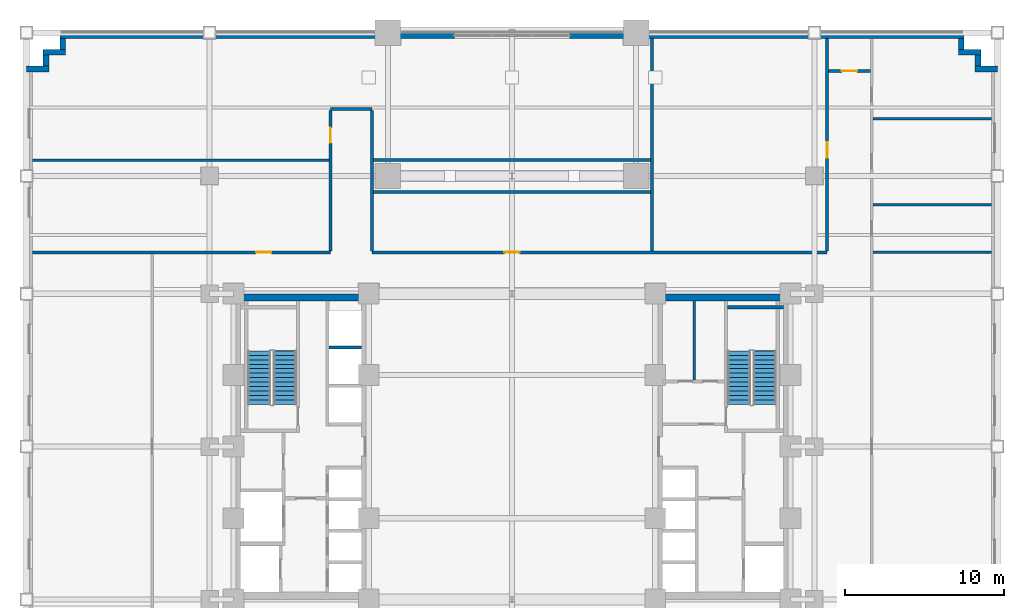
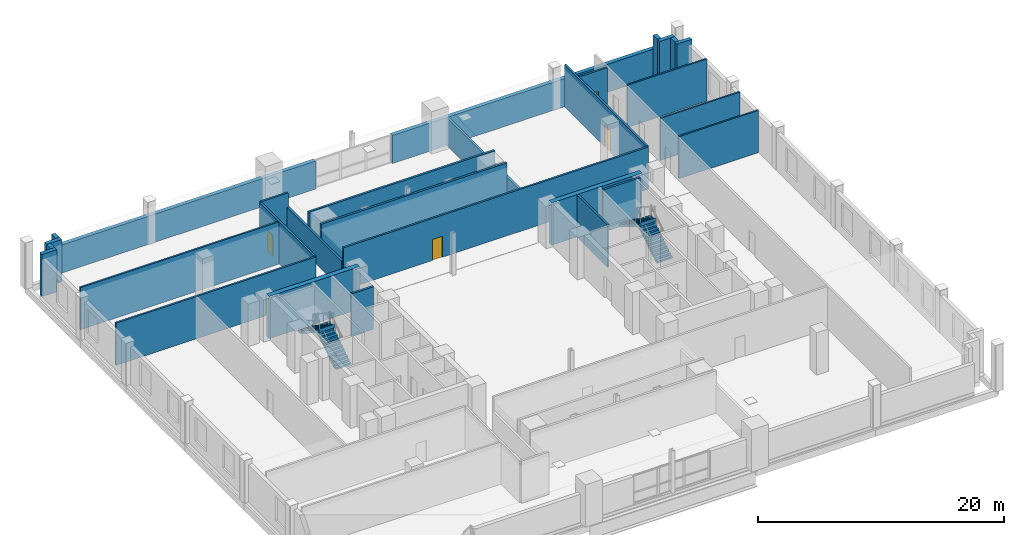
# One storey, part 9 of 17: 29 walls, 5 doors, 4 stair flights, 5 openings, 2 elements without a shape of their own.
"""IFC4 building model written with IfcOpenShell, lengths in metres."""

from ifc_helpers import new_model, si_unit, direction, frame, frame_2d, origin, place, context, subcontext, project, spatial, polyline, rectangle, outline, extrude, source, transform, mapped, material, layer, layer_set, type_object, type_shapes, element, fill, aggregate, save


model = new_model("IFC4")

# Units and contexts
model_context = context("Model", 3, precision=1e-05, world=origin(), true_north=direction((0.0, 1.0)))
body_context = subcontext(model_context, "Body", "Model", "MODEL_VIEW")
ifc_project = project(units=[si_unit("LENGTHUNIT", "METRE"), si_unit("AREAUNIT", "SQUARE_METRE"), si_unit("VOLUMEUNIT", "CUBIC_METRE"), si_unit("PLANEANGLEUNIT", "RADIAN"), si_unit("MASSUNIT", "GRAM", prefix="KILO")], contexts=[model_context])

# Site, building, storey
site_placement = place(None, origin())
site = spatial("IfcSite", under=ifc_project, at=site_placement, CompositionType="ELEMENT")
building_placement = place(site_placement, origin())
building = spatial("IfcBuilding", under=site, at=building_placement, Name="Nuvemarco Arch Tower", CompositionType="ELEMENT")
storey_placement = place(building_placement, frame((0.0, 0.0, 23.0)))
storey = spatial("IfcBuildingStorey", under=building, at=storey_placement, Name="L05", CompositionType="ELEMENT", Elevation=23.0)

# Walls
ifc_material_1 = material(Name="Precast concrete C45/55", Category="concrete")
ifc_layer_1 = layer(ifc_material_1, 0.360107421875, Name="EW-POD-360")
ifc_layer_set_1 = layer_set([ifc_layer_1], Name="Precast concrete C45/55")
wall_type_1 = type_object("IfcWallType", Name="EW-POD-360", PredefinedType="STANDARD", material=ifc_layer_set_1)
wall_1_placement = place(storey_placement, frame((29.090087890625, 23.719970703125, 0.0), z_axis=(0.0, 0.0, 1.0), x_axis=(1.0, 0.0, 0.0)))
element("IfcWall", 1, at=wall_1_placement, inside=storey, type_object=wall_type_1, Name="L05 exterior precast facade wall 7", PredefinedType="STANDARD", context=body_context, shape_type="SweptSolid", body=[
    extrude(rectangle(XDim=1.409912109375, YDim=0.360107421875, at=frame_2d((0.705078125, 0.0))), origin(), (0.0, 0.0, 1.0), 4.18994140625),
])
wall_2_placement = place(storey_placement, frame((29.27001953125, 23.89599609375, 0.0), z_axis=(0.0, 0.0, 1.0), x_axis=(0.0, 1.0, 0.0)))
element("IfcWall", 2, at=wall_2_placement, inside=storey, type_object=wall_type_1, Name="L05 exterior precast facade wall 8", PredefinedType="STANDARD", context=body_context, shape_type="SweptSolid", body=[
    extrude(rectangle(XDim=0.697998046875, YDim=0.360107421875, at=frame_2d((0.34912109375, 0.0))), origin(), (0.0, 0.0, 1.0), 4.18994140625),
])
wall_3_placement = place(storey_placement, frame((28.0400390625, 24.77001953125, 0.0), z_axis=(0.0, 0.0, 1.0), x_axis=(1.0, 0.0, 0.0)))
element("IfcWall", 3, at=wall_3_placement, inside=storey, type_object=wall_type_1, Name="L05 exterior precast facade wall 9", PredefinedType="STANDARD", context=body_context, shape_type="SweptSolid", body=[
    extrude(rectangle(XDim=1.409912109375, YDim=0.360107421875, at=frame_2d((0.705078125, 0.0))), origin(), (0.0, 0.0, 1.0), 4.18994140625),
])
wall_4_placement = place(storey_placement, frame((28.219970703125, 24.946044921875, 0.0), z_axis=(0.0, 0.0, 1.0), x_axis=(0.0, 1.0, 0.0)))
element("IfcWall", 4, at=wall_4_placement, inside=storey, type_object=wall_type_1, Name="L05 exterior precast facade wall 10", PredefinedType="STANDARD", context=body_context, shape_type="SweptSolid", body=[
    extrude(rectangle(XDim=0.697998046875, YDim=0.360107421875, at=frame_2d((0.34912109375, 0.0))), origin(), (0.0, 0.0, 1.0), 4.18994140625),
])
for number, where, z_axis, x_axis, name in (
    (5, (-28.39990234375, 25.820068359375, 0.0), (0.0, 0.0, 1.0), (1.0, 0.0, 0.0), "L05 exterior precast pier wall north left"),
    (6, (3.60009765625, 25.820068359375, 0.0), (0.0, 0.0, 1.0), (1.0, 0.0, 0.0), "L05 exterior precast pier wall north right"),
):
    element("IfcWall", number, at=place(storey_placement, frame(where, z_axis=z_axis, x_axis=x_axis)), inside=storey, type_object=wall_type_1, Name=name, PredefinedType="STANDARD", context=body_context, shape_type="SweptSolid", body=[
        extrude(rectangle(XDim=24.7998046875, YDim=0.360107421875, at=frame_2d((12.39990234375, 0.0))), origin(), (0.0, 0.0, 1.0), 2.784912109375),
    ])
wall_5_placement = place(storey_placement, frame((-28.219970703125, 24.946044921875, 0.0), z_axis=(0.0, 0.0, 1.0), x_axis=(0.0, 1.0, 0.0)))
element("IfcWall", 7, at=wall_5_placement, inside=storey, type_object=wall_type_1, Name="L05 exterior precast facade wall 12", PredefinedType="STANDARD", context=body_context, shape_type="SweptSolid", body=[
    extrude(rectangle(XDim=0.697998046875, YDim=0.360107421875, at=frame_2d((0.34912109375, 0.0))), origin(), (0.0, 0.0, 1.0), 4.18994140625),
])
wall_6_placement = place(storey_placement, frame((-29.449951171875, 24.77001953125, 0.0), z_axis=(0.0, 0.0, 1.0), x_axis=(1.0, 0.0, 0.0)))
element("IfcWall", 8, at=wall_6_placement, inside=storey, type_object=wall_type_1, Name="L05 exterior precast facade wall 13", PredefinedType="STANDARD", context=body_context, shape_type="SweptSolid", body=[
    extrude(rectangle(XDim=1.409912109375, YDim=0.360107421875, at=frame_2d((0.705078125, 0.0))), origin(), (0.0, 0.0, 1.0), 4.18994140625),
])
wall_7_placement = place(storey_placement, frame((-29.27001953125, 23.89599609375, 0.0), z_axis=(0.0, 0.0, 1.0), x_axis=(0.0, 1.0, 0.0)))
element("IfcWall", 9, at=wall_7_placement, inside=storey, type_object=wall_type_1, Name="L05 exterior precast facade wall 14", PredefinedType="STANDARD", context=body_context, shape_type="SweptSolid", body=[
    extrude(rectangle(XDim=0.697998046875, YDim=0.360107421875, at=frame_2d((0.34912109375, 0.0))), origin(), (0.0, 0.0, 1.0), 4.18994140625),
])
wall_8_placement = place(storey_placement, frame((-30.5, 23.719970703125, 0.0), z_axis=(0.0, 0.0, 1.0), x_axis=(1.0, 0.0, 0.0)))
element("IfcWall", 10, at=wall_8_placement, inside=storey, type_object=wall_type_1, Name="L05 exterior precast facade wall 15", PredefinedType="STANDARD", context=body_context, shape_type="SweptSolid", body=[
    extrude(rectangle(XDim=1.409912109375, YDim=0.360107421875, at=frame_2d((0.705078125, 0.0))), origin(), (0.0, 0.0, 1.0), 4.18994140625),
])
ifc_material_2 = material(Name="Concrete C60/75", Category="concrete")
ifc_layer_2 = layer(ifc_material_2, 0.449951171875, Name="WL-CORE-450")
ifc_layer_set_2 = layer_set([ifc_layer_2], Name="Concrete C60/75")
wall_type_2 = type_object("IfcWallType", Name="WL-CORE-450", PredefinedType="SHEAR", material=ifc_layer_set_2)
for number, where, z_axis, x_axis, name in (
    (11, (-17.5, 9.375, 0.0), (0.0, 0.0, 1.0), (1.0, 0.0, 0.0), "L05 W-core shear wall N"),
    (12, (9.0, 9.375, 0.0), (0.0, 0.0, 1.0), (1.0, 0.0, 0.0), "L05 E-core shear wall N"),
):
    element("IfcWall", number, at=place(storey_placement, frame(where, z_axis=z_axis, x_axis=x_axis)), inside=storey, type_object=wall_type_2, Name=name, PredefinedType="SHEAR", context=body_context, shape_type="SweptSolid", body=[
        extrude(rectangle(XDim=8.5, YDim=0.449951171875, at=frame_2d((4.25, 0.0))), origin(), (0.0, 0.0, 1.0), 4.199951171875),
    ])
ifc_material_3 = material(Name="Fire-rated gypsum drywall partition")
ifc_layer_3 = layer(ifc_material_3, 0.179931640625, Name="WL-CORR-180")
ifc_layer_set_3 = layer_set([ifc_layer_3], Name="Fire-rated gypsum drywall partition")
wall_type_3 = type_object("IfcWallType", Name="WL-CORR-180", PredefinedType="PARTITIONING", material=ifc_layer_set_3)
wall_9_placement = place(storey_placement, frame((11.449951171875, 4.18994140625, 0.0), z_axis=(0.0, 0.0, 1.0), x_axis=(0.0, 1.0, 0.0)))
element("IfcWall", 13, at=wall_9_placement, inside=storey, type_object=wall_type_3, Name="L05 interior wall IW-L05-EK3V", PredefinedType="PARTITIONING", context=body_context, shape_type="SweptSolid", body=[
    extrude(rectangle(XDim=4.965087890625, YDim=0.179931640625, at=frame_2d((2.482421875, 0.0))), origin(), (0.0, 0.0, 1.0), 4.18994140625),
])

# Wall, opening, door
wall_10_placement = place(storey_placement, frame((-30.139892578125, 12.199951171875, 0.0), z_axis=(0.0, 0.0, 1.0), x_axis=(1.0, 0.0, 0.0)))
wall_10 = element("IfcWall", 14, at=wall_10_placement, inside=storey, type_object=wall_type_3, Name="L05 interior wall IW-L05-007", PredefinedType="PARTITIONING", context=body_context, shape_type="SweptSolid", body=[
    extrude(rectangle(XDim=18.739990234375, YDim=0.179931640625, at=frame_2d((9.3701171875, 0.0))), origin(), (0.0, 0.0, 1.0), 4.18994140625),
])
opening_1_placement = place(wall_10_placement, frame((14.06005859375, 0.0, 0.0)))
opening_1 = element("IfcOpeningElement", 15, at=opening_1_placement, cuts=wall_10, Name="Opening FD-5", PredefinedType="OPENING", context=body_context, shape_type="SweptSolid", body=[
    extrude(rectangle(XDim=0.9599609375, YDim=2.10009765625, at=frame_2d((0.47998046875, 1.050048828125))), frame((0.0, 0.099853515625, 0.0), z_axis=(0.0, -1.0, 0.0), x_axis=(1.0, 0.0, 0.0)), (0.0, 0.0, 1.0), 0.199951171875),
])
ifc_material_4 = material(Name="Timber fire door", Category="wood")
door_type = type_object("IfcDoorType", Name="DR-CORR-FD", OperationType="NOTDEFINED", PredefinedType="DOOR", material=ifc_material_4)
shared_shape = source(origin(), body_context, "Body", "SweptSolid", [
    extrude(rectangle(XDim=0.9599609375, YDim=2.10009765625, at=frame_2d((0.47998046875, 1.050048828125))), frame((0.0, 0.02490234375, 0.0), z_axis=(0.0, -1.0, 0.0), x_axis=(1.0, 0.0, 0.0)), (0.0, 0.0, 1.0), 0.050048828125),
])
type_shapes(door_type, [shared_shape])
door_1_placement = place(opening_1_placement, origin())
door_1 = element("IfcDoor", 16, at=door_1_placement, inside=storey, type_object=door_type, Name="L05 door DR-L05-BRG_NW_OFF", OperationType="SINGLE_SWING_RIGHT", OverallHeight=2.10009765625, OverallWidth=0.9599609375, PredefinedType="DOOR", context=body_context, shape_type="MappedRepresentation", body=[
    mapped(shared_shape, transform((0.0, 0.0, 0.0), scale=1.0)),
])
fill(opening_1, door_1)

wall_11_placement = place(storey_placement, frame((-8.800048828125, 12.199951171875, 0.0), z_axis=(0.0, 0.0, 1.0), x_axis=(1.0, 0.0, 0.0)))
wall_11 = element("IfcWall", 17, at=wall_11_placement, inside=storey, type_object=wall_type_3, Name="L05 interior wall IW-L05-008", PredefinedType="PARTITIONING", context=body_context, shape_type="SweptSolid", body=[
    extrude(rectangle(XDim=28.60009765625, YDim=0.179931640625, at=frame_2d((14.300048828125, 0.0))), origin(), (0.0, 0.0, 1.0), 4.18994140625),
])
opening_2_placement = place(wall_11_placement, frame((8.320068359375, 0.0, 0.0)))
opening_2 = element("IfcOpeningElement", 18, at=opening_2_placement, cuts=wall_11, Name="Opening FD-5", PredefinedType="OPENING", context=body_context, shape_type="SweptSolid", body=[
    extrude(rectangle(XDim=0.9599609375, YDim=2.10009765625, at=frame_2d((0.47998046875, 1.050048828125))), frame((0.0, 0.099853515625, 0.0), z_axis=(0.0, -1.0, 0.0), x_axis=(1.0, 0.0, 0.0)), (0.0, 0.0, 1.0), 0.199951171875),
])
door_2_placement = place(opening_2_placement, origin())
door_2 = element("IfcDoor", 19, at=door_2_placement, inside=storey, type_object=door_type, Name="L05 door DR-L05-BRG_NMTG", OperationType="SINGLE_SWING_RIGHT", OverallHeight=2.10009765625, OverallWidth=0.9599609375, PredefinedType="DOOR", context=body_context, shape_type="MappedRepresentation", body=[
    mapped(shared_shape, transform((0.0, 0.0, 0.0), scale=1.0)),
])
fill(opening_2, door_2)

# Wall
wall_12_placement = place(storey_placement, frame((-11.39990234375, 21.199951171875, 0.0), z_axis=(0.0, 0.0, 1.0), x_axis=(1.0, 0.0, 0.0)))
element("IfcWall", 20, at=wall_12_placement, inside=storey, type_object=wall_type_3, Name="L05 interior wall IW-L05-015", PredefinedType="PARTITIONING", context=body_context, shape_type="SweptSolid", body=[
    extrude(rectangle(XDim=2.599853515625, YDim=0.179931640625, at=frame_2d((1.2998046875, 0.0))), origin(), (0.0, 0.0, 1.0), 4.18994140625),
])

# Wall, opening, door
wall_13_placement = place(storey_placement, frame((19.885986328125, 23.60009765625, 0.0), z_axis=(0.0, 0.0, 1.0), x_axis=(1.0, 0.0, 0.0)))
wall_13 = element("IfcWall", 21, at=wall_13_placement, inside=storey, type_object=wall_type_3, Name="L05 interior wall IW-L05-016", PredefinedType="PARTITIONING", context=body_context, shape_type="SweptSolid", body=[
    extrude(rectangle(XDim=2.64794921875, YDim=0.179931640625, at=frame_2d((1.323974609375, 0.0))), origin(), (0.0, 0.0, 1.0), 4.18994140625),
])
opening_3_placement = place(wall_13_placement, frame((0.843994140625, 0.0, 0.0)))
opening_3 = element("IfcOpeningElement", 22, at=opening_3_placement, cuts=wall_13, Name="Opening FD-5", PredefinedType="OPENING", context=body_context, shape_type="SweptSolid", body=[
    extrude(rectangle(XDim=0.9599609375, YDim=2.10009765625, at=frame_2d((0.47998046875, 1.050048828125))), frame((0.0, 0.099853515625, 0.0), z_axis=(0.0, -1.0, 0.0), x_axis=(1.0, 0.0, 0.0)), (0.0, 0.0, 1.0), 0.199951171875),
])
door_3_placement = place(opening_3_placement, origin())
door_3 = element("IfcDoor", 23, at=door_3_placement, inside=storey, type_object=door_type, Name="L05 door DR-L05-BRG_STORE", OperationType="SINGLE_SWING_RIGHT", OverallHeight=2.10009765625, OverallWidth=0.9599609375, PredefinedType="DOOR", context=body_context, shape_type="MappedRepresentation", body=[
    mapped(shared_shape, transform((0.0, 0.0, 0.0), scale=1.0)),
])
fill(opening_3, door_3)

wall_14_placement = place(storey_placement, frame((-11.39990234375, 12.285888671875, 0.0), z_axis=(0.0, 0.0, 1.0), x_axis=(0.0, 1.0, 0.0)))
wall_14 = element("IfcWall", 24, at=wall_14_placement, inside=storey, type_object=wall_type_3, Name="L05 interior wall IW-L05-019", PredefinedType="PARTITIONING", context=body_context, shape_type="SweptSolid", body=[
    extrude(rectangle(XDim=8.828125, YDim=0.179931640625, at=frame_2d((4.4140625, 0.0))), origin(), (0.0, 0.0, 1.0), 4.18994140625),
])
opening_4_placement = place(wall_14_placement, frame((6.791015625, 0.0, 0.0)))
opening_4 = element("IfcOpeningElement", 25, at=opening_4_placement, cuts=wall_14, Name="Opening FD-5", PredefinedType="OPENING", context=body_context, shape_type="SweptSolid", body=[
    extrude(rectangle(XDim=0.9599609375, YDim=2.10009765625, at=frame_2d((0.47998046875, 1.050048828125))), frame((0.0, 0.099853515625, 0.0), z_axis=(0.0, -1.0, 0.0), x_axis=(1.0, 0.0, 0.0)), (0.0, 0.0, 1.0), 0.199951171875),
])
door_4_placement = place(opening_4_placement, origin())
door_4 = element("IfcDoor", 26, at=door_4_placement, inside=storey, type_object=door_type, Name="L05 door DR-L05-BRG_OFF", OperationType="SINGLE_SWING_LEFT", OverallHeight=2.10009765625, OverallWidth=0.9599609375, PredefinedType="DOOR", context=body_context, shape_type="MappedRepresentation", body=[
    mapped(shared_shape, transform((0.0, 0.0, 0.0), scale=1.0)),
])
fill(opening_4, door_4)

wall_15_placement = place(storey_placement, frame((19.800048828125, 12.285888671875, 0.0), z_axis=(0.0, 0.0, 1.0), x_axis=(0.0, 1.0, 0.0)))
wall_15 = element("IfcWall", 27, at=wall_15_placement, inside=storey, type_object=wall_type_3, Name="L05 interior wall IW-L05-024", PredefinedType="PARTITIONING", context=body_context, shape_type="SweptSolid", body=[
    extrude(rectangle(XDim=13.35400390625, YDim=0.179931640625, at=frame_2d((6.677001953125, 0.0))), origin(), (0.0, 0.0, 1.0), 4.18994140625),
])
opening_5_placement = place(wall_15_placement, frame((5.860107421875, 0.0, 0.0)))
opening_5 = element("IfcOpeningElement", 28, at=opening_5_placement, cuts=wall_15, Name="Opening FD-5", PredefinedType="OPENING", context=body_context, shape_type="SweptSolid", body=[
    extrude(rectangle(XDim=0.9599609375, YDim=2.10009765625, at=frame_2d((0.47998046875, 1.050048828125))), frame((0.0, 0.099853515625, 0.0), z_axis=(0.0, -1.0, 0.0), x_axis=(1.0, 0.0, 0.0)), (0.0, 0.0, 1.0), 0.199951171875),
])
door_5_placement = place(opening_5_placement, origin())
door_5 = element("IfcDoor", 29, at=door_5_placement, inside=storey, type_object=door_type, Name="L05 door DR-L05-BRG_NE_BRD", OperationType="SINGLE_SWING_LEFT", OverallHeight=2.10009765625, OverallWidth=0.9599609375, PredefinedType="DOOR", context=body_context, shape_type="MappedRepresentation", body=[
    mapped(shared_shape, transform((0.0, 0.0, 0.0), scale=1.0)),
])
fill(opening_5, door_5)

# Walls
ifc_layer_4 = layer(ifc_material_1, 0.199951171875, Name="WL-PLANT-200")
ifc_layer_set_4 = layer_set([ifc_layer_4], Name="Precast concrete C45/55")
wall_type_4 = type_object("IfcWallType", Name="WL-PLANT-200", PredefinedType="STANDARD", material=ifc_layer_set_4)
for number, where, z_axis, x_axis, name in (
    (30, (-8.714111328125, 16.0, 0.0), (0.0, 0.0, 1.0), (1.0, 0.0, 0.0), "L05 interior wall IW-L05-011"),
    (31, (-8.714111328125, 18.0, 0.0), (0.0, 0.0, 1.0), (1.0, 0.0, 0.0), "L05 interior wall IW-L05-013"),
):
    element("IfcWall", number, at=place(storey_placement, frame(where, z_axis=z_axis, x_axis=x_axis)), inside=storey, type_object=wall_type_4, Name=name, PredefinedType="STANDARD", context=body_context, shape_type="SweptSolid", body=[
        extrude(rectangle(XDim=17.438232421875, YDim=0.199951171875, at=frame_2d((8.71923828125, 0.0))), origin(), (0.0, 0.0, 1.0), 4.18994140625),
    ])
wall_16_placement = place(storey_placement, frame((-8.800048828125, 12.285888671875, 0.0), z_axis=(0.0, 0.0, 1.0), x_axis=(0.0, 1.0, 0.0)))
element("IfcWall", 32, at=wall_16_placement, inside=storey, type_object=wall_type_4, Name="L05 interior wall IW-L05-021", PredefinedType="STANDARD", context=body_context, shape_type="SweptSolid", body=[
    extrude(rectangle(XDim=8.828125, YDim=0.199951171875, at=frame_2d((4.4140625, 0.0))), origin(), (0.0, 0.0, 1.0), 2.784912109375),
])
wall_17_placement = place(storey_placement, frame((8.800048828125, 12.285888671875, 0.0), z_axis=(0.0, 0.0, 1.0), x_axis=(0.0, 1.0, 0.0)))
element("IfcWall", 33, at=wall_17_placement, inside=storey, type_object=wall_type_4, Name="L05 interior wall IW-L05-023", PredefinedType="STANDARD", context=body_context, shape_type="SweptSolid", body=[
    extrude(rectangle(XDim=13.35400390625, YDim=0.199951171875, at=frame_2d((6.677001953125, 0.0))), origin(), (0.0, 0.0, 1.0), 2.784912109375),
])
ifc_material_5 = material(Name="Concrete C50/60", Category="concrete")
ifc_layer_5 = layer(ifc_material_5, 0.199951171875, Name="WL-SHAFT-220")
ifc_layer_set_5 = layer_set([ifc_layer_5], Name="Concrete C50/60")
wall_type_5 = type_object("IfcWallType", Name="WL-SHAFT-220", PredefinedType="SHEAR", material=ifc_layer_set_5)
wall_18_placement = place(storey_placement, frame((-11.5048828125, 6.219970703125, 0.0), z_axis=(0.0, 0.0, 1.0), x_axis=(1.0, 0.0, 0.0)))
element("IfcWall", 34, at=wall_18_placement, inside=storey, type_object=wall_type_5, Name="L05 structural shaft wall SW-L05-W-PHD3", PredefinedType="SHEAR", context=body_context, shape_type="SweptSolid", body=[
    extrude(rectangle(XDim=2.059814453125, YDim=0.199951171875, at=frame_2d((1.02978515625, 0.0))), origin(), (0.0, 0.0, 1.0), 4.199951171875),
])
wall_19_placement = place(storey_placement, frame((13.534912109375, 8.75, 0.0), z_axis=(0.0, 0.0, 1.0), x_axis=(1.0, 0.0, 0.0)))
element("IfcWall", 35, at=wall_19_placement, inside=storey, type_object=wall_type_5, Name="L05 structural shaft wall SW-L05-E-ST2N", PredefinedType="SHEAR", context=body_context, shape_type="SweptSolid", body=[
    extrude(rectangle(XDim=3.52001953125, YDim=0.199951171875, at=frame_2d((1.760009765625, 0.0))), origin(), (0.0, 0.0, 1.0), 4.199951171875),
])
ifc_material_6 = material(Name="Acoustic gypsum drywall partition")
ifc_layer_6 = layer(ifc_material_6, 0.159912109375, Name="WL-TENANT-160")
ifc_layer_set_6 = layer_set([ifc_layer_6], Name="Acoustic gypsum drywall partition")
wall_type_6 = type_object("IfcWallType", Name="WL-TENANT-160", PredefinedType="PARTITIONING", material=ifc_layer_set_6)
wall_20_placement = place(storey_placement, frame((-30.139892578125, 18.0, 0.0), z_axis=(0.0, 0.0, 1.0), x_axis=(1.0, 0.0, 0.0)))
element("IfcWall", 36, at=wall_20_placement, inside=storey, type_object=wall_type_6, Name="L05 interior wall IW-L05-012", PredefinedType="PARTITIONING", context=body_context, shape_type="SweptSolid", body=[
    extrude(rectangle(XDim=18.65380859375, YDim=0.159912109375, at=frame_2d((9.326904296875, 0.0))), origin(), (0.0, 0.0, 1.0), 4.18994140625),
])
ifc_material_7 = material(Name="Moisture-resistant gypsum partition")
ifc_layer_7 = layer(ifc_material_7, 0.14990234375, Name="WL-WET-150")
ifc_layer_set_7 = layer_set([ifc_layer_7], Name="Moisture-resistant gypsum partition")
wall_type_7 = type_object("IfcWallType", Name="WL-WET-150", PredefinedType="PARTITIONING", material=ifc_layer_set_7)
for number, where, z_axis, x_axis, name in (
    (37, (22.666015625, 12.199951171875, 0.0), (0.0, 0.0, 1.0), (1.0, 0.0, 0.0), "L05 interior wall IW-L05-009"),
    (38, (22.666015625, 15.199951171875, 0.0), (0.0, 0.0, 1.0), (1.0, 0.0, 0.0), "L05 interior wall IW-L05-010"),
    (39, (22.666015625, 20.60009765625, 0.0), (0.0, 0.0, 1.0), (1.0, 0.0, 0.0), "L05 interior wall IW-L05-014"),
):
    element("IfcWall", number, at=place(storey_placement, frame(where, z_axis=z_axis, x_axis=x_axis)), inside=storey, type_object=wall_type_7, Name=name, PredefinedType="PARTITIONING", context=body_context, shape_type="SweptSolid", body=[
        extrude(rectangle(XDim=7.473876953125, YDim=0.14990234375, at=frame_2d((3.73681640625, 0.0))), origin(), (0.0, 0.0, 1.0), 4.18994140625),
    ])

# Stair, stair flights
stair_type = type_object("IfcStairType", Name="ST-CORE-26R", PredefinedType="HALF_TURN_STAIR", material=ifc_material_1)
stair_1_placement = place(storey_placement, origin())
stair_1 = element("IfcStair", 40, at=stair_1_placement, inside=storey, type_object=stair_type, Name="L05 Protected Exit Stair ST-1", PredefinedType="HALF_TURN_STAIR")
stair_flight_type = type_object("IfcStairFlightType", Name="SF-CORE-26R", PredefinedType="STRAIGHT", material=ifc_material_1)
stair_flight_1_placement = place(storey_placement, frame((-14.264892578125, 2.64990234375, 0.0), z_axis=(0.0, 0.0, 1.0), x_axis=(0.0, 1.0, 0.0)))
stair_flight_1 = element("IfcStairFlight", 41, at=stair_flight_1_placement, type_object=stair_flight_type, Name="ST-26R flight 1", NumberOfRisers=13, NumberOfTreads=12, PredefinedType="STRAIGHT", RiserHeight=0.176923077, TreadLength=0.28, context=body_context, shape_type="SweptSolid", body=[
    extrude(outline(polyline([(0.0, 0.0), (0.0, 0.177001953125), (0.280029296875, 0.177001953125), (0.280029296875, 0.353759765625), (0.56005859375, 0.353759765625), (0.56005859375, 0.53076171875), (0.840087890625, 0.53076171875), (0.840087890625, 0.707763671875), (1.1201171875, 0.707763671875), (1.1201171875, 0.884521484375), (1.39990234375, 0.884521484375), (1.39990234375, 1.0615234375), (1.679931640625, 1.0615234375), (1.679931640625, 1.238525390625), (1.9599609375, 1.238525390625), (1.9599609375, 1.415283203125), (2.239990234375, 1.415283203125), (2.239990234375, 1.59228515625), (2.52001953125, 1.59228515625), (2.52001953125, 1.769287109375), (2.800048828125, 1.769287109375), (2.800048828125, 1.946044921875), (3.080078125, 1.946044921875), (3.080078125, 2.123046875), (3.360107421875, 2.123046875), (3.360107421875, 2.300048828125), (3.3798828125, 2.300048828125), (3.3798828125, 1.933837890625), (0.3193359375, 0.0), (0.0, 0.0)])), frame((0.0, 0.72509765625, 0.0), z_axis=(0.0, -1.0, 0.0), x_axis=(1.0, 0.0, 0.0)), (0.0, 0.0, 1.0), 1.449951171875),
])
stair_flight_2_placement = place(storey_placement, frame((-15.875, 6.010009765625, 2.300048828125), z_axis=(0.0, 0.0, 1.0), x_axis=(0.0, -1.0, 0.0)))
stair_flight_2 = element("IfcStairFlight", 42, at=stair_flight_2_placement, type_object=stair_flight_type, Name="ST-26R flight 2", NumberOfRisers=13, NumberOfTreads=12, PredefinedType="STRAIGHT", RiserHeight=0.176923077, TreadLength=0.28, context=body_context, shape_type="SweptSolid", body=[
    extrude(outline(polyline([(0.0, 0.0), (0.0, 0.177001953125), (0.280029296875, 0.177001953125), (0.280029296875, 0.353759765625), (0.56005859375, 0.353759765625), (0.56005859375, 0.53076171875), (0.840087890625, 0.53076171875), (0.840087890625, 0.707763671875), (1.1201171875, 0.707763671875), (1.1201171875, 0.884521484375), (1.39990234375, 0.884521484375), (1.39990234375, 1.0615234375), (1.679931640625, 1.0615234375), (1.679931640625, 1.238525390625), (1.9599609375, 1.238525390625), (1.9599609375, 1.415283203125), (2.239990234375, 1.415283203125), (2.239990234375, 1.59228515625), (2.52001953125, 1.59228515625), (2.52001953125, 1.769287109375), (2.800048828125, 1.769287109375), (2.800048828125, 1.946044921875), (3.080078125, 1.946044921875), (3.080078125, 2.123046875), (3.360107421875, 2.123046875), (3.360107421875, 2.300048828125), (3.3798828125, 2.300048828125), (3.3798828125, 1.933837890625), (0.3193359375, 0.0), (0.0, 0.0)])), frame((0.0, 0.72509765625, 0.0), z_axis=(0.0, -1.0, 0.0), x_axis=(1.0, 0.0, 0.0)), (0.0, 0.0, 1.0), 1.449951171875),
])
aggregate(stair_1, [stair_flight_1, stair_flight_2])

stair_2_placement = place(storey_placement, origin())
stair_2 = element("IfcStair", 43, at=stair_2_placement, inside=storey, type_object=stair_type, Name="L05 Protected Exit Stair ST-2", PredefinedType="HALF_TURN_STAIR")
stair_flight_3_placement = place(storey_placement, frame((15.875, 2.64990234375, 0.0), z_axis=(0.0, 0.0, 1.0), x_axis=(0.0, 1.0, 0.0)))
stair_flight_3 = element("IfcStairFlight", 44, at=stair_flight_3_placement, type_object=stair_flight_type, Name="ST-26R flight 1", NumberOfRisers=13, NumberOfTreads=12, PredefinedType="STRAIGHT", RiserHeight=0.176923077, TreadLength=0.28, context=body_context, shape_type="SweptSolid", body=[
    extrude(outline(polyline([(0.0, 0.0), (0.0, 0.177001953125), (0.280029296875, 0.177001953125), (0.280029296875, 0.353759765625), (0.56005859375, 0.353759765625), (0.56005859375, 0.53076171875), (0.840087890625, 0.53076171875), (0.840087890625, 0.707763671875), (1.1201171875, 0.707763671875), (1.1201171875, 0.884521484375), (1.39990234375, 0.884521484375), (1.39990234375, 1.0615234375), (1.679931640625, 1.0615234375), (1.679931640625, 1.238525390625), (1.9599609375, 1.238525390625), (1.9599609375, 1.415283203125), (2.239990234375, 1.415283203125), (2.239990234375, 1.59228515625), (2.52001953125, 1.59228515625), (2.52001953125, 1.769287109375), (2.800048828125, 1.769287109375), (2.800048828125, 1.946044921875), (3.080078125, 1.946044921875), (3.080078125, 2.123046875), (3.360107421875, 2.123046875), (3.360107421875, 2.300048828125), (3.3798828125, 2.300048828125), (3.3798828125, 1.933837890625), (0.3193359375, 0.0), (0.0, 0.0)])), frame((0.0, 0.72509765625, 0.0), z_axis=(0.0, -1.0, 0.0), x_axis=(1.0, 0.0, 0.0)), (0.0, 0.0, 1.0), 1.449951171875),
])
stair_flight_4_placement = place(storey_placement, frame((14.264892578125, 6.010009765625, 2.300048828125), z_axis=(0.0, 0.0, 1.0), x_axis=(0.0, -1.0, 0.0)))
stair_flight_4 = element("IfcStairFlight", 45, at=stair_flight_4_placement, type_object=stair_flight_type, Name="ST-26R flight 2", NumberOfRisers=13, NumberOfTreads=12, PredefinedType="STRAIGHT", RiserHeight=0.176923077, TreadLength=0.28, context=body_context, shape_type="SweptSolid", body=[
    extrude(outline(polyline([(0.0, 0.0), (0.0, 0.177001953125), (0.280029296875, 0.177001953125), (0.280029296875, 0.353759765625), (0.56005859375, 0.353759765625), (0.56005859375, 0.53076171875), (0.840087890625, 0.53076171875), (0.840087890625, 0.707763671875), (1.1201171875, 0.707763671875), (1.1201171875, 0.884521484375), (1.39990234375, 0.884521484375), (1.39990234375, 1.0615234375), (1.679931640625, 1.0615234375), (1.679931640625, 1.238525390625), (1.9599609375, 1.238525390625), (1.9599609375, 1.415283203125), (2.239990234375, 1.415283203125), (2.239990234375, 1.59228515625), (2.52001953125, 1.59228515625), (2.52001953125, 1.769287109375), (2.800048828125, 1.769287109375), (2.800048828125, 1.946044921875), (3.080078125, 1.946044921875), (3.080078125, 2.123046875), (3.360107421875, 2.123046875), (3.360107421875, 2.300048828125), (3.3798828125, 2.300048828125), (3.3798828125, 1.933837890625), (0.3193359375, 0.0), (0.0, 0.0)])), frame((0.0, 0.72509765625, 0.0), z_axis=(0.0, -1.0, 0.0), x_axis=(1.0, 0.0, 0.0)), (0.0, 0.0, 1.0), 1.449951171875),
])
aggregate(stair_2, [stair_flight_3, stair_flight_4])

save(model, "model.ifc")
